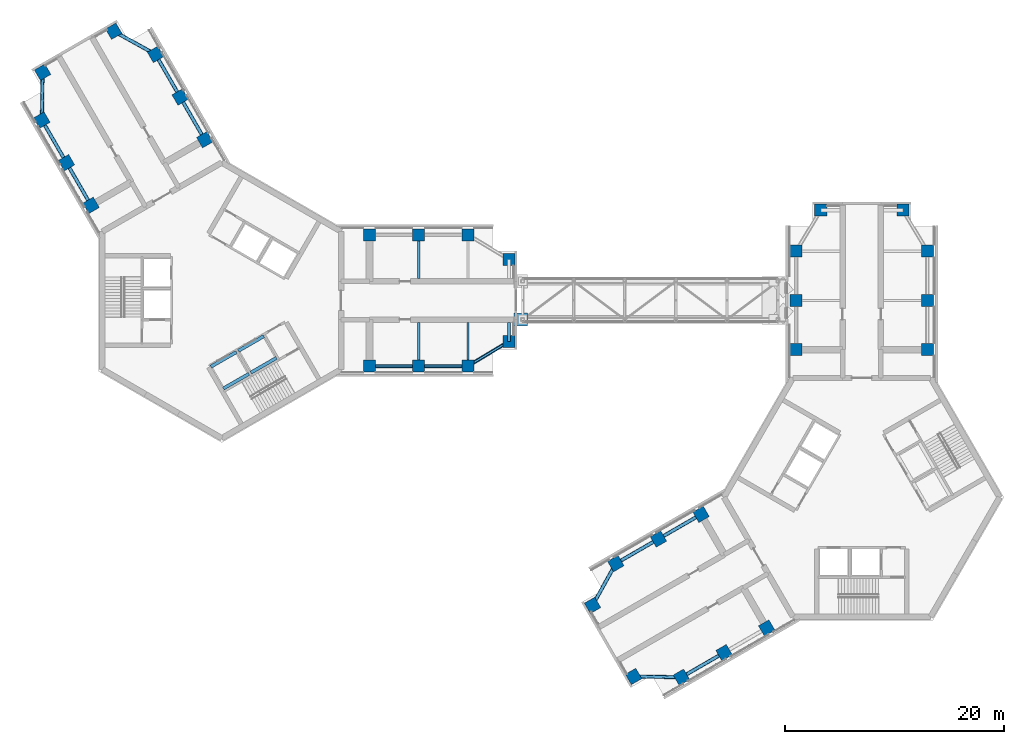
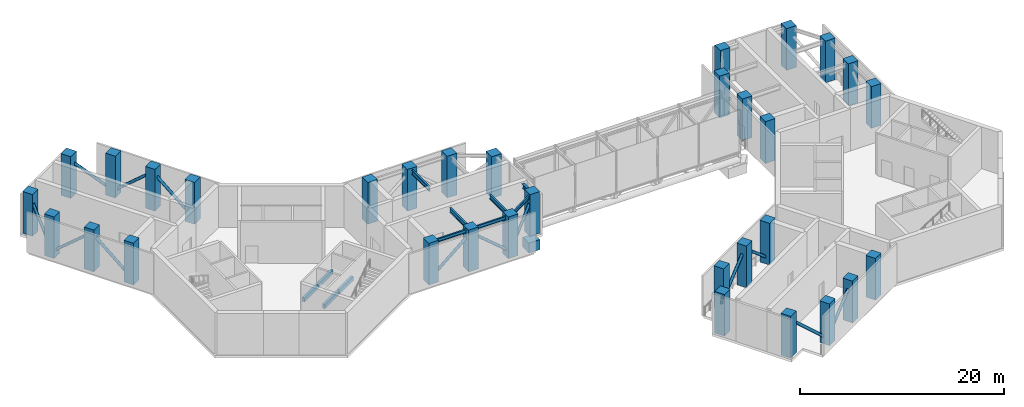
# One storey, part 1 of 15: 32 columns, 14 members, 12 beams.
"""IFC4 building model written with IfcOpenShell, lengths in metres."""

from ifc_helpers import new_model, si_unit, direction, frame, origin, origin_2d, place, context, subcontext, project, spatial, rectangle, hollow_circle, i_section, extrude, material, material_profile, profile_set, type_object, element, save


model = new_model("IFC4")

# Units and contexts
model_context = context("Model", 3, precision=1e-05, world=origin(), true_north=direction((0.0, 1.0)))
body_context = subcontext(model_context, "Body", "Model", "MODEL_VIEW")
ifc_project = project(units=[si_unit("LENGTHUNIT", "METRE"), si_unit("AREAUNIT", "SQUARE_METRE"), si_unit("VOLUMEUNIT", "CUBIC_METRE"), si_unit("PLANEANGLEUNIT", "RADIAN"), si_unit("MASSUNIT", "GRAM", prefix="KILO")], contexts=[model_context])

# Site, building, storey
site_placement = place(None, origin())
site = spatial("IfcSite", under=ifc_project, at=site_placement, CompositionType="ELEMENT")
building_placement = place(site_placement, origin())
building = spatial("IfcBuilding", under=site, at=building_placement, Name="Upepo Twin Towers", CompositionType="ELEMENT")
storey_placement = place(building_placement, frame((0.0, 0.0, 238.5)))
storey = spatial("IfcBuildingStorey", under=building, at=storey_placement, Name="L58", CompositionType="ELEMENT", Elevation=238.5)

# Columns
ifc_material_1 = material(Name="Concrete C60/75", Category="concrete")
ifc_material_profile_1 = material_profile(ifc_material_1, rectangle(XDim=1.10009765625, YDim=1.10009765625, at=origin_2d()), Name="RC 1100x1100")
ifc_profile_set_1 = profile_set([ifc_material_profile_1], Name="Concrete C60/75")
column_type = type_object("IfcColumnType", Name="Tower column RC 1100x1100", PredefinedType="COLUMN", material=ifc_profile_set_1)
for number, where, z_axis, x_axis, name in (
    (1, (13.5, 6.0, 0.0), (0.0, 0.0, 1.0), (1.0, 0.0, 0.0), "T1 column AL135"),
    (2, (13.5, -6.0, 0.0), (0.0, 0.0, 1.0), (1.0, 0.0, 0.0), "T1 column AR135"),
    (3, (18.0, 6.0, 0.0), (0.0, 0.0, 1.0), (1.0, 0.0, 0.0), "T1 column AL180"),
    (4, (18.0, -6.0, 0.0), (0.0, 0.0, 1.0), (1.0, 0.0, 0.0), "T1 column AR180"),
    (5, (22.5, 6.0, 0.0), (0.0, 0.0, 1.0), (1.0, 0.0, 0.0), "T1 column AL225"),
    (6, (22.5, -6.0, 0.0), (0.0, 0.0, 1.0), (1.0, 0.0, 0.0), "T1 column AR225"),
    (7, (26.25, 3.75, 0.0), (0.0, 0.0, 1.0), (1.0, 0.0, 0.0), "T1 column ALN"),
    (8, (26.25, -3.75, 0.0), (0.0, 0.0, 1.0), (1.0, 0.0, 0.0), "T1 column ARN"),
    (9, (-11.946044921875, 8.69140625, 0.0), (0.0, 0.0, 1.0), (0.866025403784, 0.5, 0.0), "T1 column BL135"),
    (10, (-1.553955078125, 14.69140625, 0.0), (0.0, 0.0, 1.0), (0.866025403784, 0.5, 0.0), "T1 column BR135"),
    (11, (-14.196044921875, 12.58837890625, 0.0), (0.0, 0.0, 1.0), (0.866025403784, 0.5, 0.0), "T1 column BL180"),
    (12, (-3.803955078125, 18.58837890625, 0.0), (0.0, 0.0, 1.0), (0.866025403784, 0.5, 0.0), "T1 column BR180"),
    (13, (-16.446044921875, 16.485595703125, 0.0), (0.0, 0.0, 1.0), (0.866025403784, 0.5, 0.0), "T1 column BL225"),
    (14, (-6.053955078125, 22.485595703125, 0.0), (0.0, 0.0, 1.0), (0.866025403784, 0.5, 0.0), "T1 column BR225"),
    (15, (-16.37255859375, 20.858154296875, 0.0), (0.0, 0.0, 1.0), (0.866025403784, 0.5, 0.0), "T1 column BLN"),
    (16, (-9.87744140625, 24.608154296875, 0.0), (0.0, 0.0, 1.0), (0.866025403784, 0.5, 0.0), "T1 column BRN"),
    (17, (52.5, -4.5, 0.0), (0.0, 0.0, 1.0), (1.0, 0.0, 0.0), "T2 column AL135"),
    (18, (64.5, -4.5, 0.0), (0.0, 0.0, 1.0), (1.0, 0.0, 0.0), "T2 column AR135"),
    (19, (52.5, 0.0, 0.0), (0.0, 0.0, 1.0), (1.0, 0.0, 0.0), "T2 column AL180"),
    (20, (64.5, 0.0, 0.0), (0.0, 0.0, 1.0), (1.0, 0.0, 0.0), "T2 column AR180"),
    (21, (52.5, 4.5, 0.0), (0.0, 0.0, 1.0), (1.0, 0.0, 0.0), "T2 column AL225"),
    (22, (64.5, 4.5, 0.0), (0.0, 0.0, 1.0), (1.0, 0.0, 0.0), "T2 column AR225"),
    (23, (54.75, 8.25, 0.0), (0.0, 0.0, 1.0), (1.0, 0.0, 0.0), "T2 column ALN"),
    (24, (62.25, 8.25, 0.0), (0.0, 0.0, 1.0), (1.0, 0.0, 0.0), "T2 column ARN"),
    (25, (49.80859375, -29.946044921875, 0.0), (0.0, 0.0, 1.0), (0.866025403784, 0.5, 0.0), "T2 column BL135"),
    (26, (43.80859375, -19.553955078125, 0.0), (0.0, 0.0, 1.0), (0.866025403784, 0.5, 0.0), "T2 column BR135"),
    (27, (45.91162109375, -32.196044921875, 0.0), (0.0, 0.0, 1.0), (0.866025403784, 0.5, 0.0), "T2 column BL180"),
    (28, (39.91162109375, -21.803955078125, 0.0), (0.0, 0.0, 1.0), (0.866025403784, 0.5, 0.0), "T2 column BR180"),
    (29, (42.014404296875, -34.446044921875, 0.0), (0.0, 0.0, 1.0), (0.866025403784, 0.5, 0.0), "T2 column BL225"),
    (30, (36.014404296875, -24.053955078125, 0.0), (0.0, 0.0, 1.0), (0.866025403784, 0.5, 0.0), "T2 column BR225"),
    (31, (37.641845703125, -34.37255859375, 0.0), (0.0, 0.0, 1.0), (0.866025403784, 0.5, 0.0), "T2 column BLN"),
    (32, (33.891845703125, -27.87744140625, 0.0), (0.0, 0.0, 1.0), (0.866025403784, 0.5, 0.0), "T2 column BRN"),
):
    element("IfcColumn", number, at=place(storey_placement, frame(where, z_axis=z_axis, x_axis=x_axis)), inside=storey, type_object=column_type, Name=name, PredefinedType="COLUMN", context=body_context, shape_type="SweptSolid", body=[
        extrude(rectangle(XDim=1.10009765625, YDim=1.10009765625, at=origin_2d()), origin(), (0.0, 0.0, 1.0), 5.0),
    ])

# Beams
ifc_material_2 = material(Name="Steel S355", Category="steel")
ifc_material_profile_2 = material_profile(ifc_material_2, i_section(OverallWidth=0.177978515625, OverallDepth=0.406494140625, WebThickness=0.0078125, FlangeThickness=0.0126953125, FilletRadius=0.01025390625, at=origin_2d()), Name="UB 406x178x60")
ifc_profile_set_2 = profile_set([ifc_material_profile_2], Name="Steel S355")
beam_type_1 = type_object("IfcBeamType", Name="Beam UB 406x178x60", PredefinedType="BEAM", material=ifc_profile_set_2)
for number, where, z_axis, x_axis, name in (
    (33, (13.5, -6.0, 4.5966796875), (1.0, 0.0, 0.0), (0.0, 1.0, 0.0), "T1 edge beam AR 13.5-18.0"),
    (34, (18.0, -6.0, 4.5966796875), (1.0, 0.0, 0.0), (0.0, 1.0, 0.0), "T1 edge beam AR 18.0-22.5"),
):
    element("IfcBeam", number, at=place(storey_placement, frame(where, z_axis=z_axis, x_axis=x_axis)), inside=storey, type_object=beam_type_1, Name=name, PredefinedType="BEAM", context=body_context, shape_type="SweptSolid", body=[
        extrude(i_section(OverallWidth=0.177978515625, OverallDepth=0.406494140625, WebThickness=0.0078125, FlangeThickness=0.0126953125, FilletRadius=0.01025390625, at=origin_2d()), origin(), (0.0, 0.0, 1.0), 4.5),
    ])
beam_1_placement = place(storey_placement, frame((22.5, -6.0, 4.5966796875), z_axis=(0.857492925713, 0.514495755428, 0.0), x_axis=(-0.514495755428, 0.857492925713, 0.0)))
element("IfcBeam", 35, at=beam_1_placement, inside=storey, type_object=beam_type_1, Name="T1 nose edge beam AR", PredefinedType="BEAM", context=body_context, shape_type="SweptSolid", body=[
    extrude(i_section(OverallWidth=0.177978515625, OverallDepth=0.406494140625, WebThickness=0.0078125, FlangeThickness=0.0126953125, FilletRadius=0.01025390625, at=origin_2d()), origin(), (0.0, 0.0, 1.0), 4.373291015625),
])
ifc_material_3 = material(Name="Steel S355", Category="steel")
ifc_material_profile_3 = material_profile(ifc_material_3, i_section(OverallWidth=0.209228515625, OverallDepth=0.533203125, WebThickness=0.010009765625, FlangeThickness=0.015625, FilletRadius=0.0126953125, at=origin_2d()), Name="UB 533x210x92")
ifc_profile_set_3 = profile_set([ifc_material_profile_3], Name="Steel S355")
beam_type_2 = type_object("IfcBeamType", Name="Beam UB 533x210x92", PredefinedType="BEAM", material=ifc_profile_set_3)
for number, where, z_axis, x_axis, name in (
    (36, (18.0, 6.0, 4.533447265625), (0.0, -1.0, 0.0), (1.0, 0.0, 0.0), "T1 girder AL at 18.0"),
    (37, (18.0, -6.0, 4.533447265625), (0.0, 1.0, 0.0), (-1.0, 0.0, 0.0), "T1 girder AR at 18.0"),
    (38, (22.5, -6.0, 4.533447265625), (0.0, 1.0, 0.0), (-1.0, 0.0, 0.0), "T1 girder AR at 22.5"),
):
    element("IfcBeam", number, at=place(storey_placement, frame(where, z_axis=z_axis, x_axis=x_axis)), inside=storey, type_object=beam_type_2, Name=name, PredefinedType="BEAM", context=body_context, shape_type="SweptSolid", body=[
        extrude(i_section(OverallWidth=0.209228515625, OverallDepth=0.533203125, WebThickness=0.010009765625, FlangeThickness=0.015625, FilletRadius=0.0126953125, at=origin_2d()), origin(), (0.0, 0.0, 1.0), 4.0),
    ])
ifc_material_4 = material(Name="Steel S355", Category="steel")
ifc_material_profile_4 = material_profile(ifc_material_4, i_section(OverallWidth=0.31201171875, OverallDepth=0.54345703125, WebThickness=0.0126953125, FlangeThickness=0.020263671875, FilletRadius=0.0126953125, at=origin_2d()), Name="UB 533x312x150")
ifc_profile_set_4 = profile_set([ifc_material_profile_4], Name="Steel S355")
beam_type_3 = type_object("IfcBeamType", Name="Beam UB 533x312x150", PredefinedType="BEAM", material=ifc_profile_set_4)
beam_2_placement = place(storey_placement, frame((26.25, -3.75, 4.5283203125), z_axis=(0.0, 1.0, 0.0), x_axis=(-1.0, 0.0, 0.0)))
element("IfcBeam", 39, at=beam_2_placement, inside=storey, type_object=beam_type_3, Name="T1 nose beam AR", PredefinedType="BEAM", context=body_context, shape_type="SweptSolid", body=[
    extrude(i_section(OverallWidth=0.31201171875, OverallDepth=0.54345703125, WebThickness=0.0126953125, FlangeThickness=0.020263671875, FilletRadius=0.0126953125, at=origin_2d()), origin(), (0.0, 0.0, 1.0), 1.75),
])

# Members
ifc_material_5 = material(Name="Steel S355", Category="steel")
ifc_material_profile_5 = material_profile(ifc_material_5, hollow_circle(Radius=0.161865234375, WallThickness=0.01611328125, at=origin_2d()), Name="CHS 323.9x16.0")
ifc_profile_set_5 = profile_set([ifc_material_profile_5], Name="Steel S355")
member_type = type_object("IfcMemberType", Name="Belt truss diagonal CHS 323.9x16.0", PredefinedType="BRACE", material=ifc_profile_set_5)
for number, where, z_axis, x_axis, name in (
    (40, (13.5, -6.0, 0.39990234375), (0.764025829276, 0.0, 0.645185657155), (0.0, 1.0, 0.0), "T1 belt truss diagonal AR1"),
    (41, (22.5, -6.0, 0.39990234375), (-0.764025829276, 0.0, 0.645185657155), (0.0, -1.0, 0.0), "T1 belt truss diagonal AR2"),
):
    element("IfcMember", number, at=place(storey_placement, frame(where, z_axis=z_axis, x_axis=x_axis)), inside=storey, type_object=member_type, Name=name, PredefinedType="BRACE", context=body_context, shape_type="SweptSolid", body=[
        extrude(hollow_circle(Radius=0.161865234375, WallThickness=0.01611328125, at=origin_2d()), origin(), (0.0, 0.0, 1.0), 5.889892578125),
    ])
member_1_placement = place(storey_placement, frame((22.5, -6.0, 0.39990234375), z_axis=(0.647270093312, 0.388362055987, 0.655908789218), x_axis=(-0.514495755428, 0.857492925713, 0.0)))
element("IfcMember", 42, at=member_1_placement, inside=storey, type_object=member_type, Name="T1 belt truss nose diagonal AR", PredefinedType="BRACE", context=body_context, shape_type="SweptSolid", body=[
    extrude(hollow_circle(Radius=0.161865234375, WallThickness=0.01611328125, at=origin_2d()), origin(), (0.0, 0.0, 1.0), 5.79345703125),
])
member_2_placement = place(storey_placement, frame((-11.946044921875, 8.69140625, 0.39990234375), z_axis=(-0.382018994089, 0.66165225517, 0.645195924804), x_axis=(-0.866017533419, -0.500013631625, 0.0)))
element("IfcMember", 43, at=member_2_placement, inside=storey, type_object=member_type, Name="T1 belt truss diagonal BL1", PredefinedType="BRACE", context=body_context, shape_type="SweptSolid", body=[
    extrude(hollow_circle(Radius=0.161865234375, WallThickness=0.01611328125, at=origin_2d()), origin(), (0.0, 0.0, 1.0), 5.8896484375),
])
member_3_placement = place(storey_placement, frame((-16.446044921875, 16.485595703125, 0.39990234375), z_axis=(0.382008516702, -0.66167555904, 0.645178229434), x_axis=(0.866031096941, 0.499990139034, 0.0)))
element("IfcMember", 44, at=member_3_placement, inside=storey, type_object=member_type, Name="T1 belt truss diagonal BL2", PredefinedType="BRACE", context=body_context, shape_type="SweptSolid", body=[
    extrude(hollow_circle(Radius=0.161865234375, WallThickness=0.01611328125, at=origin_2d()), origin(), (0.0, 0.0, 1.0), 5.889892578125),
])
member_4_placement = place(storey_placement, frame((-16.446044921875, 16.485595703125, 0.39990234375), z_axis=(0.012684196551, 0.754730764906, 0.655912024331), x_axis=(-0.999858804832, 0.016803880528, 0.0)))
element("IfcMember", 45, at=member_4_placement, inside=storey, type_object=member_type, Name="T1 belt truss nose diagonal BL", PredefinedType="BRACE", context=body_context, shape_type="SweptSolid", body=[
    extrude(hollow_circle(Radius=0.161865234375, WallThickness=0.01611328125, at=origin_2d()), origin(), (0.0, 0.0, 1.0), 5.79345703125),
])
member_5_placement = place(storey_placement, frame((-1.553955078125, 14.69140625, 0.39990234375), z_axis=(-0.382018994089, 0.66165225517, 0.645195924804), x_axis=(-0.866017533419, -0.500013631625, 0.0)))
element("IfcMember", 46, at=member_5_placement, inside=storey, type_object=member_type, Name="T1 belt truss diagonal BR1", PredefinedType="BRACE", context=body_context, shape_type="SweptSolid", body=[
    extrude(hollow_circle(Radius=0.161865234375, WallThickness=0.01611328125, at=origin_2d()), origin(), (0.0, 0.0, 1.0), 5.8896484375),
])
member_6_placement = place(storey_placement, frame((-6.053955078125, 22.485595703125, 0.39990234375), z_axis=(0.382008516702, -0.66167555904, 0.645178229434), x_axis=(0.866031096941, 0.499990139034, 0.0)))
element("IfcMember", 47, at=member_6_placement, inside=storey, type_object=member_type, Name="T1 belt truss diagonal BR2", PredefinedType="BRACE", context=body_context, shape_type="SweptSolid", body=[
    extrude(hollow_circle(Radius=0.161865234375, WallThickness=0.01611328125, at=origin_2d()), origin(), (0.0, 0.0, 1.0), 5.889892578125),
])
member_7_placement = place(storey_placement, frame((-6.053955078125, 22.485595703125, 0.39990234375), z_axis=(-0.659961082626, 0.366368792053, 0.65591560252), x_axis=(-0.485363242752, -0.874312600038, 0.0)))
element("IfcMember", 48, at=member_7_placement, inside=storey, type_object=member_type, Name="T1 belt truss nose diagonal BR", PredefinedType="BRACE", context=body_context, shape_type="SweptSolid", body=[
    extrude(hollow_circle(Radius=0.161865234375, WallThickness=0.01611328125, at=origin_2d()), origin(), (0.0, 0.0, 1.0), 5.79345703125),
])
member_8_placement = place(storey_placement, frame((42.014404296875, -34.446044921875, 0.39990234375), z_axis=(0.66167555904, 0.382008516702, 0.645178229434), x_axis=(-0.499990139034, 0.866031096941, 0.0)))
element("IfcMember", 49, at=member_8_placement, inside=storey, type_object=member_type, Name="T2 belt truss diagonal BL2", PredefinedType="BRACE", context=body_context, shape_type="SweptSolid", body=[
    extrude(hollow_circle(Radius=0.161865234375, WallThickness=0.01611328125, at=origin_2d()), origin(), (0.0, 0.0, 1.0), 5.889892578125),
])
member_9_placement = place(storey_placement, frame((42.014404296875, -34.446044921875, 0.39990234375), z_axis=(-0.754730764906, 0.012684196551, 0.655912024331), x_axis=(-0.016803880528, -0.999858804832, 0.0)))
element("IfcMember", 50, at=member_9_placement, inside=storey, type_object=member_type, Name="T2 belt truss nose diagonal BL", PredefinedType="BRACE", context=body_context, shape_type="SweptSolid", body=[
    extrude(hollow_circle(Radius=0.161865234375, WallThickness=0.01611328125, at=origin_2d()), origin(), (0.0, 0.0, 1.0), 5.79345703125),
])
member_10_placement = place(storey_placement, frame((43.80859375, -19.553955078125, 0.39990234375), z_axis=(-0.66165225517, -0.382018994089, 0.645195924804), x_axis=(0.500013631625, -0.866017533419, 0.0)))
element("IfcMember", 51, at=member_10_placement, inside=storey, type_object=member_type, Name="T2 belt truss diagonal BR1", PredefinedType="BRACE", context=body_context, shape_type="SweptSolid", body=[
    extrude(hollow_circle(Radius=0.161865234375, WallThickness=0.01611328125, at=origin_2d()), origin(), (0.0, 0.0, 1.0), 5.8896484375),
])
member_11_placement = place(storey_placement, frame((36.014404296875, -24.053955078125, 0.39990234375), z_axis=(0.66167555904, 0.382008516702, 0.645178229434), x_axis=(-0.499990139034, 0.866031096941, 0.0)))
element("IfcMember", 52, at=member_11_placement, inside=storey, type_object=member_type, Name="T2 belt truss diagonal BR2", PredefinedType="BRACE", context=body_context, shape_type="SweptSolid", body=[
    extrude(hollow_circle(Radius=0.161865234375, WallThickness=0.01611328125, at=origin_2d()), origin(), (0.0, 0.0, 1.0), 5.889892578125),
])
member_12_placement = place(storey_placement, frame((36.014404296875, -24.053955078125, 0.39990234375), z_axis=(-0.366368792053, -0.659961082626, 0.65591560252), x_axis=(0.874312600038, -0.485363242752, 0.0)))
element("IfcMember", 53, at=member_12_placement, inside=storey, type_object=member_type, Name="T2 belt truss nose diagonal BR", PredefinedType="BRACE", context=body_context, shape_type="SweptSolid", body=[
    extrude(hollow_circle(Radius=0.161865234375, WallThickness=0.01611328125, at=origin_2d()), origin(), (0.0, 0.0, 1.0), 5.79345703125),
])

# Beams
ifc_material_6 = material(Name="Concrete C60/75", Category="concrete")
ifc_material_profile_6 = material_profile(ifc_material_6, rectangle(XDim=1.199951171875, YDim=1.199951171875, at=origin_2d()), Name="RC 1200x1200")
ifc_profile_set_6 = profile_set([ifc_material_profile_6], Name="Concrete C60/75")
beam_type_4 = type_object("IfcBeamType", Name="Bridge bearing corbel RC 1200x1200", PredefinedType="BEAM", material=ifc_profile_set_6)
beam_3_placement = place(storey_placement, frame((26.699951171875, -1.75, -2.944091796875), z_axis=(1.0, 0.0, 0.0), x_axis=(0.0, 1.0, 0.0)))
element("IfcBeam", 54, at=beam_3_placement, inside=storey, type_object=beam_type_4, Name="BR3 bearing corbel at T1 S", PredefinedType="BEAM", context=body_context, shape_type="SweptSolid", body=[
    extrude(rectangle(XDim=1.199951171875, YDim=1.199951171875, at=origin_2d()), origin(), (0.0, 0.0, 1.0), 1.25),
])
ifc_material_7 = material(Name="Concrete C40/50", Category="concrete")
ifc_material_profile_7 = material_profile(ifc_material_7, rectangle(XDim=0.300048828125, YDim=0.5, at=origin_2d()), Name="RC 300x500")
ifc_profile_set_7 = profile_set([ifc_material_profile_7], Name="Concrete C40/50")
beam_type_5 = type_object("IfcBeamType", Name="Lift pit beam RC 300x500", PredefinedType="BEAM", material=ifc_profile_set_7)
for number, where, z_axis, x_axis, name in (
    (55, (-1.00244140625, -6.063720703125, 2.85009765625), (0.86599734893, 0.500048589285, 0.0), (-0.500048589285, 0.86599734893, 0.0), "T1 lift TL1 pit beam 1"),
    (56, (0.1474609375, -8.055419921875, 2.85009765625), (0.866059108428, 0.4999416173, 0.0), (-0.4999416173, 0.866059108428, 0.0), "T1 lift TL1 pit beam 2"),
):
    element("IfcBeam", number, at=place(storey_placement, frame(where, z_axis=z_axis, x_axis=x_axis)), inside=storey, type_object=beam_type_5, Name=name, PredefinedType="BEAM", context=body_context, shape_type="SweptSolid", body=[
        extrude(rectangle(XDim=0.300048828125, YDim=0.5, at=origin_2d()), origin(), (0.0, 0.0, 1.0), 2.699951171875),
    ])
beam_4_placement = place(storey_placement, frame((1.509033203125, -4.613525390625, 2.85009765625), z_axis=(0.866036505625, 0.499980770555, 0.0), x_axis=(-0.499980770555, 0.866036505625, 0.0)))
element("IfcBeam", 57, at=beam_4_placement, inside=storey, type_object=beam_type_5, Name="T1 lift TL2 pit beam 1", PredefinedType="BEAM", context=body_context, shape_type="SweptSolid", body=[
    extrude(rectangle(XDim=0.300048828125, YDim=0.5, at=origin_2d()), origin(), (0.0, 0.0, 1.0), 2.69970703125),
])
beam_5_placement = place(storey_placement, frame((2.658935546875, -6.60546875, 2.85009765625), z_axis=(0.866019956843, 0.50000943426, 0.0), x_axis=(-0.50000943426, 0.866019956843, 0.0)))
element("IfcBeam", 58, at=beam_5_placement, inside=storey, type_object=beam_type_5, Name="T1 lift TL2 pit beam 2", PredefinedType="BEAM", context=body_context, shape_type="SweptSolid", body=[
    extrude(rectangle(XDim=0.300048828125, YDim=0.5, at=origin_2d()), origin(), (0.0, 0.0, 1.0), 2.7001953125),
])

save(model, "model.ifc")
